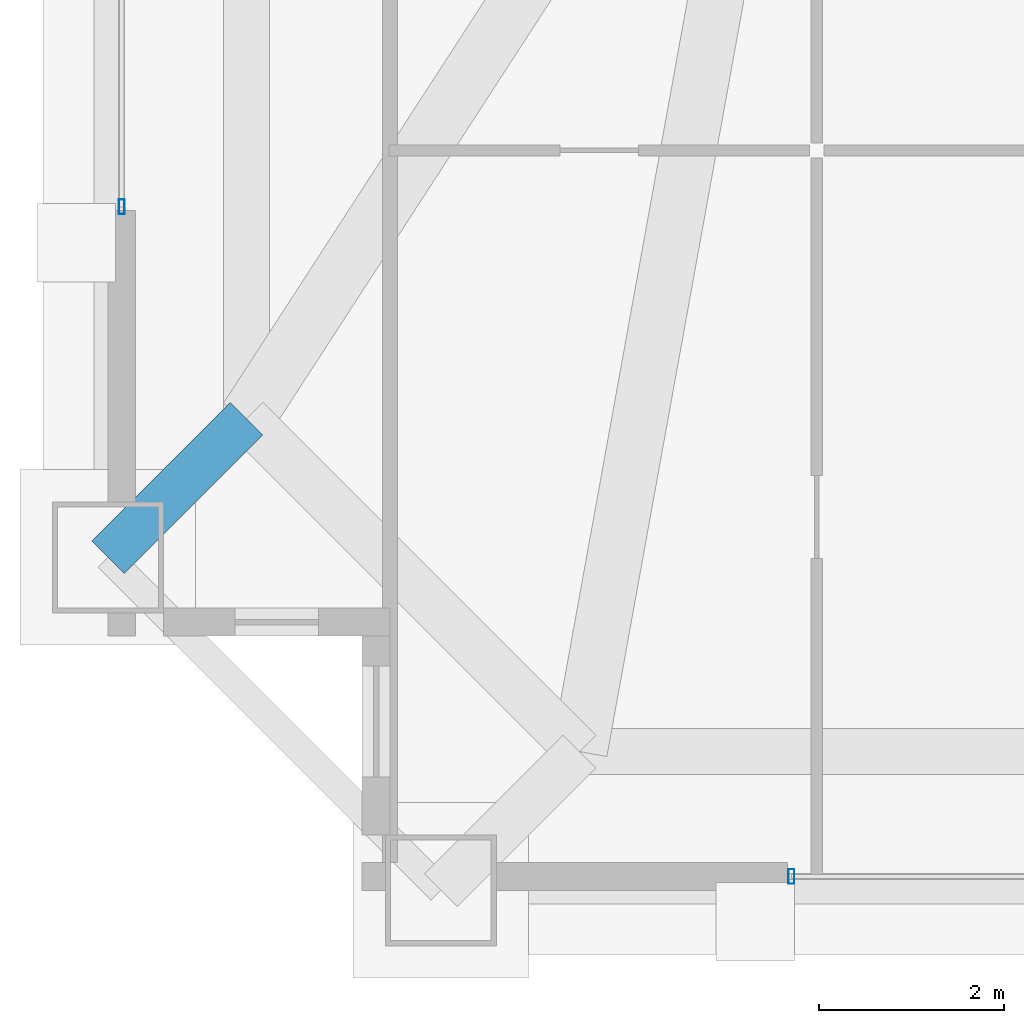
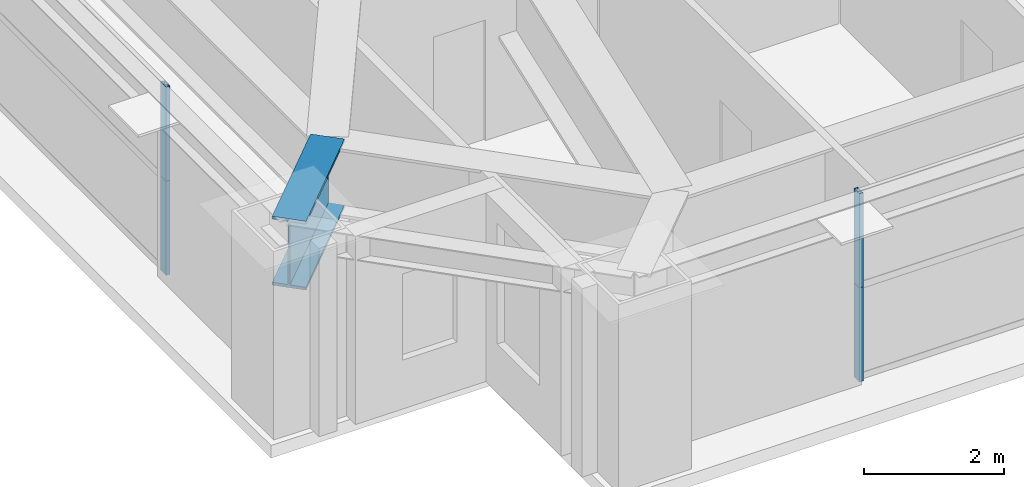
# One storey, part 4 of 33: 4 members, 1 beam, 2 elements without a shape of their own.
"""IFC4 building model written with IfcOpenShell, lengths in metres."""

import ifcopenshell
import ifcopenshell.guid

model = None  # the IFC model being written
_history = None  # IfcOwnerHistory: only IFC2X3 demands one
_inside = {}  # id of a spatial element -> (the spatial element, [elements in it])
_under = {}  # id of a project, library or spatial element -> (it, [spatial elements below it])
_declared = {}  # id of a project -> (the project, [libraries it declares])
_typed = {}  # id of a type object -> (the type object, [elements of that type])
_made_of = {}  # id of a material, layer set ... -> (it, [elements and type objects made of it])


def new_model(schema):
    """Start an empty IFC model of exactly this schema.

    Asked for "IFC4X3", IfcOpenShell would pick the latest addendum, in which some entities
    have other attributes; the version numbers below select the first issue.
    IFC2X3 requires an IfcOwnerHistory on every rooted entity: one is made here for all.
    """
    global model, _history
    if schema == "IFC4X3":
        model = ifcopenshell.file(schema_version=(4, 3, 0, 0))
    else:
        model = ifcopenshell.file(schema=schema)
    _inside.clear()
    _under.clear()
    _declared.clear()
    _typed.clear()
    _made_of.clear()
    _history = None
    if model.schema == "IFC2X3":
        org = make("IfcOrganization", Name="unknown")
        user = make(
            "IfcPersonAndOrganization",
            ThePerson=make("IfcPerson", FamilyName="unknown"),
            TheOrganization=org,
        )
        app = make(
            "IfcApplication",
            ApplicationDeveloper=org,
            Version="unknown",
            ApplicationFullName="unknown",
            ApplicationIdentifier="unknown",
        )
        _history = make(
            "IfcOwnerHistory",
            OwningUser=user,
            OwningApplication=app,
            ChangeAction="ADDED",
            CreationDate=0,
        )
    return model


def make(cls, **values):
    """One entity of the class cls with the attributes given. An attribute that is None is left unset."""
    return model.create_entity(
        cls, **{name: value for name, value in values.items() if value is not None}
    )


def rooted(cls, **values):
    """An entity with a GlobalId (a new one), such as an element, a storey or a relation."""
    return make(cls, GlobalId=ifcopenshell.guid.new(), OwnerHistory=_history, **values)


def si_unit(unit_type, name, prefix=None):
    """IfcSIUnit, for example si_unit("LENGTHUNIT", "METRE", prefix="MILLI")."""
    return make("IfcSIUnit", UnitType=unit_type, Prefix=prefix, Name=name)


def assignment(units):
    """IfcUnitAssignment: the units of a project."""
    return None if units is None else make("IfcUnitAssignment", Units=units)


def point(xyz):
    """IfcCartesianPoint."""
    return None if xyz is None else make("IfcCartesianPoint", Coordinates=xyz)


def direction(xyz):
    """IfcDirection."""
    return None if xyz is None else make("IfcDirection", DirectionRatios=xyz)


def frame(location, z_axis=None, x_axis=None):
    """IfcAxis2Placement3D, a coordinate frame: its origin and axes. An axis left out is left unset."""
    return make(
        "IfcAxis2Placement3D",
        Location=point(location),
        Axis=direction(z_axis),
        RefDirection=direction(x_axis),
    )


def frame_2d(location, x_axis=None):
    """IfcAxis2Placement2D, a coordinate frame in the plane: its origin and x axis."""
    return make(
        "IfcAxis2Placement2D", Location=point(location), RefDirection=direction(x_axis)
    )


def origin():
    """The frame at (0, 0, 0) with its axes left unset."""
    return frame((0.0, 0.0, 0.0))


def origin_2d():
    """The frame at (0, 0) in the plane with its x axis left unset."""
    return frame_2d((0.0, 0.0))


def place(relative_to, where):
    """IfcLocalPlacement: puts the frame where relative to a parent placement (None: the world)."""
    return make(
        "IfcLocalPlacement", PlacementRelTo=relative_to, RelativePlacement=where
    )


def context(
    kind, dimensions, precision=None, world=None, true_north=None, identifier=None
):
    """IfcGeometricRepresentationContext, for example the 3D "Model" context."""
    return make(
        "IfcGeometricRepresentationContext",
        ContextIdentifier=identifier,
        ContextType=kind,
        CoordinateSpaceDimension=dimensions,
        Precision=precision,
        WorldCoordinateSystem=world,
        TrueNorth=true_north,
    )


def subcontext(parent, identifier, kind, view, scale=None):
    """IfcGeometricRepresentationSubContext, for example "Body" below "Model"."""
    return make(
        "IfcGeometricRepresentationSubContext",
        ContextIdentifier=identifier,
        ContextType=kind,
        ParentContext=parent,
        TargetScale=scale,
        TargetView=view,
    )


def project(units=None, contexts=None):
    """IfcProject with its units and contexts."""
    return rooted(
        "IfcProject",
        Name="project",
        RepresentationContexts=contexts,
        UnitsInContext=assignment(units),
    )


def spatial(cls, under=None, at=None, **own):
    """A site, building, storey or space (cls), placed at a placement, below another one or the project."""
    s = rooted(cls, ObjectPlacement=at, **own)
    if under is not None:
        _under.setdefault(under.id(), (under, []))[1].append(s)
    return s


def profile(cls, at=None, kind="AREA", **sizes):
    """A parametric profile (cls). Its sizes go by their IFC names, for example OverallWidth=200.0."""
    return make(cls, ProfileType=kind, Position=at, **sizes)


def hollow_rectangle(**sizes):
    """IfcRectangleHollowProfileDef."""
    return profile("IfcRectangleHollowProfileDef", **sizes)


def i_section(**sizes):
    """IfcIShapeProfileDef."""
    return profile("IfcIShapeProfileDef", **sizes)


def extrude(swept, where, along, depth):
    """IfcExtrudedAreaSolid: the profile swept, set in the frame where, extruded along a direction by depth."""
    return make(
        "IfcExtrudedAreaSolid",
        SweptArea=swept,
        Position=where,
        ExtrudedDirection=direction(along),
        Depth=depth,
    )


def shape(context_of_items, identifier, shape_type, items):
    """IfcShapeRepresentation: the items that make up one representation, for example the "Body"."""
    return make(
        "IfcShapeRepresentation",
        ContextOfItems=context_of_items,
        RepresentationIdentifier=identifier,
        RepresentationType=shape_type,
        Items=items,
    )


def source(mapping_origin, context_of_items, identifier, shape_type, items):
    """IfcRepresentationMap: a shape defined once, which mapped items show again and again."""
    return make(
        "IfcRepresentationMap",
        MappingOrigin=mapping_origin,
        MappedRepresentation=shape(context_of_items, identifier, shape_type, items),
    )


def transform(
    local_origin,
    x_axis=None,
    y_axis=None,
    z_axis=None,
    scale=None,
    scale2=None,
    scale3=None,
    uniform=True,
):
    """IfcCartesianTransformationOperator3D, or its non-uniform kind. x_axis, y_axis, z_axis: its Axis1, 2, 3."""
    if uniform:
        return make(
            "IfcCartesianTransformationOperator3D",
            Axis1=direction(x_axis),
            Axis2=direction(y_axis),
            LocalOrigin=point(local_origin),
            Scale=scale,
            Axis3=direction(z_axis),
        )
    return make(
        "IfcCartesianTransformationOperator3DnonUniform",
        Axis1=direction(x_axis),
        Axis2=direction(y_axis),
        LocalOrigin=point(local_origin),
        Scale=scale,
        Axis3=direction(z_axis),
        Scale2=scale2,
        Scale3=scale3,
    )


def mapped(mapping_source, mapping_target):
    """IfcMappedItem: shows the shape of a source again, moved by a transform."""
    return make(
        "IfcMappedItem", MappingSource=mapping_source, MappingTarget=mapping_target
    )


def material(Name=None, Category=None):
    """IfcMaterial."""
    return make("IfcMaterial", Name=Name, Category=Category)


def layer(
    of_material, thickness, ventilated=None, Name=None, Category=None, Priority=None
):
    """IfcMaterialLayer: one layer of a wall or slab, of a material (None: an air gap)."""
    return make(
        "IfcMaterialLayer",
        Material=of_material,
        LayerThickness=thickness,
        IsVentilated=ventilated,
        Name=Name,
        Category=Category,
        Priority=Priority,
    )


def layer_set(layers, Name=None):
    """IfcMaterialLayerSet."""
    return make("IfcMaterialLayerSet", MaterialLayers=layers, LayerSetName=Name)


def material_profile(
    of_material, cross_section, Name=None, Category=None, Priority=None
):
    """IfcMaterialProfile: a cross section and its material."""
    return make(
        "IfcMaterialProfile",
        Name=Name,
        Material=of_material,
        Profile=cross_section,
        Priority=Priority,
        Category=Category,
    )


def profile_set(profiles, Name=None, composite=None):
    """IfcMaterialProfileSet."""
    return make(
        "IfcMaterialProfileSet",
        Name=Name,
        MaterialProfiles=profiles,
        CompositeProfile=composite,
    )


def made_of(thing, what):
    """Note that an element or type object is made of a material, layer set ...; save() writes the relation."""
    if what is not None:
        _made_of.setdefault(what.id(), (what, []))[1].append(thing)
    return thing


def type_object(cls, material=None, **own):
    """A type object (cls), such as IfcWallType, which elements share."""
    return made_of(rooted(cls, **own), material)


def element(
    cls,
    number,
    at=None,
    inside=None,
    cuts=None,
    type_object=None,
    material=None,
    context=None,
    identifier="Body",
    shape_type=None,
    held_by="IfcProductDefinitionShape",
    body=None,
    shapes=None,
    **own,
):
    """One element of the class cls, such as IfcWall. Its Tag is "e" and its number.

    at: its placement. inside: the storey or other place that contains it. cuts: it is an
    opening in that element (IfcRelVoidsElement). A single representation is given by context,
    identifier, shape_type and body (its items); several are given by shapes. held_by: the class
    of the entity that holds the representations. save() writes the other relations.
    """
    e = rooted(cls, Tag="e%d" % number, ObjectPlacement=at, **own)
    if body is not None:
        shapes = [shape(context, identifier, shape_type, body)]
    if shapes is not None:
        e.Representation = make(held_by, Representations=shapes)
    if inside is not None:
        _inside.setdefault(inside.id(), (inside, []))[1].append(e)
    if cuts is not None:
        rooted(
            "IfcRelVoidsElement", RelatingBuildingElement=cuts, RelatedOpeningElement=e
        )
    if type_object is not None:
        _typed.setdefault(type_object.id(), (type_object, []))[1].append(e)
    return made_of(e, material)


def aggregate(whole, parts):
    """IfcRelAggregates: a whole, such as a stair, and the parts it consists of."""
    return rooted("IfcRelAggregates", RelatingObject=whole, RelatedObjects=parts)


def save(model, path):
    """Write the relations noted so far, then the file.

    IfcRelAggregates (storeys below a building ...), IfcRelContainedInSpatialStructure (elements
    in a storey), IfcRelDefinesByType, IfcRelAssociatesMaterial and IfcRelDeclares: one each for
    every whole, place, type object, material and project.
    """
    for whole, parts in _under.values():
        aggregate(whole, parts)
    for where, things in _inside.values():
        rooted(
            "IfcRelContainedInSpatialStructure",
            RelatedElements=things,
            RelatingStructure=where,
        )
    for kind, things in _typed.values():
        rooted("IfcRelDefinesByType", RelatedObjects=things, RelatingType=kind)
    for what, things in _made_of.values():
        rooted("IfcRelAssociatesMaterial", RelatedObjects=things, RelatingMaterial=what)
    for by, libraries in _declared.values():
        rooted("IfcRelDeclares", RelatingContext=by, RelatedDefinitions=libraries)
    model.write(path)


model = new_model("IFC4")

# Units and contexts
model_context = context("Model", 3, precision=1e-05, world=origin(), true_north=direction((0.0, 1.0)))
body_context = subcontext(model_context, "Body", "Model", "MODEL_VIEW")
ifc_project = project(units=[si_unit("LENGTHUNIT", "METRE"), si_unit("AREAUNIT", "SQUARE_METRE"), si_unit("VOLUMEUNIT", "CUBIC_METRE"), si_unit("PLANEANGLEUNIT", "RADIAN"), si_unit("MASSUNIT", "GRAM", prefix="KILO"), si_unit("THERMODYNAMICTEMPERATUREUNIT", "KELVIN"), si_unit("POWERUNIT", "WATT")], contexts=[model_context])

# Site, building, storey
site_placement = place(None, origin())
site = spatial("IfcSite", under=ifc_project, at=site_placement, CompositionType="ELEMENT")
building_placement = place(site_placement, origin())
building = spatial("IfcBuilding", under=site, at=building_placement, Name="Yuzanri Waterfront Tower", CompositionType="ELEMENT")
storey_placement = place(building_placement, frame((0.0, 0.0, 282.10009765625)))
storey = spatial("IfcBuildingStorey", under=building, at=storey_placement, Name="L75", CompositionType="ELEMENT", Elevation=282.10009765625)

# Beam
ifc_material_1 = material(Name="Steel Q420GJC", Category="steel")
ifc_material_profile_1 = material_profile(ifc_material_1, i_section(OverallWidth=0.5, OverallDepth=1.199951171875, WebThickness=0.028076171875, FlangeThickness=0.050048828125, at=origin_2d()), Name="PG 1200x500x28x50")
ifc_profile_set_1 = profile_set([ifc_material_profile_1], Name="Steel Q420GJC")
beam_type = type_object("IfcBeamType", Name="Setback Transfer Girder Q420GJC PG 1200x500", PredefinedType="USERDEFINED", material=ifc_profile_set_1)
shared_shape_1 = source(origin(), body_context, "Body", "SweptSolid", [
    extrude(i_section(OverallWidth=0.5, OverallDepth=1.199951171875, WebThickness=0.028076171875, FlangeThickness=0.050048828125, at=origin_2d()), origin(), (0.0, 0.0, 1.0), 2.121337890625),
])
beam_placement = place(storey_placement, frame((17.89990234375, 10.300048828125, 2.679931640625), z_axis=(-0.707106781187, -0.707106781187, 0.0), x_axis=(0.707106781187, -0.707106781187, 0.0)))
element("IfcBeam", 1, at=beam_placement, inside=storey, type_object=beam_type, Name="L75 Setback Step Transfer W1", ObjectType="GIRDER", PredefinedType="USERDEFINED", context=body_context, shape_type="MappedRepresentation", body=[
    mapped(shared_shape_1, transform((0.0, 0.0, 0.0), scale=1.0)),
])

# Curtain wall, members
ifc_material_2 = material(Name="Anodized Architectural Bronze", Category="metal")
ifc_layer = layer(ifc_material_2, 0.159912109375)
ifc_layer_set = layer_set([ifc_layer], Name="Anodized Architectural Bronze")
curtain_wall_type = type_object("IfcCurtainWallType", Name="Anodized Bronze Mid-Rise Residential Acoustic Unitized Curtain Wall 7200", PredefinedType="NOTDEFINED", material=ifc_layer_set)
curtain_wall_1_placement = place(storey_placement, origin())
curtain_wall_1 = element("IfcCurtainWall", 2, at=curtain_wall_1_placement, inside=storey, type_object=curtain_wall_type, Name="L75 Curtain Wall CW-L75-SL", PredefinedType="NOTDEFINED")
ifc_material_3 = material(Name="Anodized Architectural Bronze", Category="metal")
ifc_material_profile_2 = material_profile(ifc_material_3, hollow_rectangle(XDim=0.06494140625, YDim=0.159912109375, WallThickness=0.00341796875, at=origin_2d()), Name="CWM 65x160")
ifc_profile_set_2 = profile_set([ifc_material_profile_2], Name="Anodized Architectural Bronze")
member_type = type_object("IfcMemberType", Name="Anodized Bronze Upper-Zone Curtain-Wall Mullion 65x160", PredefinedType="MULLION", material=ifc_profile_set_2)
shared_shape_2 = source(origin(), body_context, "Body", "SweptSolid", [
    extrude(hollow_rectangle(XDim=0.06494140625, YDim=0.159912109375, WallThickness=0.00341796875, at=origin_2d()), origin(), (0.0, 0.0, 1.0), 1.637939453125),
])
member_1_placement = place(storey_placement, frame((23.7900390625, 5.35009765625, 0.0), z_axis=(0.0, 0.0, 1.0), x_axis=(1.0, 0.0, 0.0)))
member_1 = element("IfcMember", 3, at=member_1_placement, type_object=member_type, Name="CW-L75-SL Lower Mullion 00", PredefinedType="MULLION", context=body_context, shape_type="MappedRepresentation", body=[
    mapped(shared_shape_2, transform((0.0, 0.0, 0.0), scale=1.0)),
])
member_2_placement = place(storey_placement, frame((23.7900390625, 5.35009765625, 1.641845703125), z_axis=(0.0, 0.0, 1.0), x_axis=(1.0, 0.0, 0.0)))
member_2 = element("IfcMember", 4, at=member_2_placement, type_object=member_type, Name="CW-L75-SL Upper Mullion 00", PredefinedType="MULLION", context=body_context, shape_type="MappedRepresentation", body=[
    mapped(shared_shape_2, transform((0.0, 0.0, 0.0), scale=1.0)),
])
aggregate(curtain_wall_1, [member_1, member_2])

curtain_wall_2_placement = place(storey_placement, origin())
curtain_wall_2 = element("IfcCurtainWall", 5, at=curtain_wall_2_placement, inside=storey, type_object=curtain_wall_type, Name="L75 Curtain Wall CW-L75-WL", PredefinedType="NOTDEFINED")
member_3_placement = place(storey_placement, frame((16.550048828125, 12.590087890625, 0.0), z_axis=(0.0, 0.0, 1.0), x_axis=(1.0, 0.0, 0.0)))
member_3 = element("IfcMember", 6, at=member_3_placement, type_object=member_type, Name="CW-L75-WL Lower Mullion 00", PredefinedType="MULLION", context=body_context, shape_type="MappedRepresentation", body=[
    mapped(shared_shape_2, transform((0.0, 0.0, 0.0), scale=1.0)),
])
member_4_placement = place(storey_placement, frame((16.550048828125, 12.590087890625, 1.641845703125), z_axis=(0.0, 0.0, 1.0), x_axis=(1.0, 0.0, 0.0)))
member_4 = element("IfcMember", 7, at=member_4_placement, type_object=member_type, Name="CW-L75-WL Upper Mullion 00", PredefinedType="MULLION", context=body_context, shape_type="MappedRepresentation", body=[
    mapped(shared_shape_2, transform((0.0, 0.0, 0.0), scale=1.0)),
])
aggregate(curtain_wall_2, [member_3, member_4])

save(model, "model.ifc")
